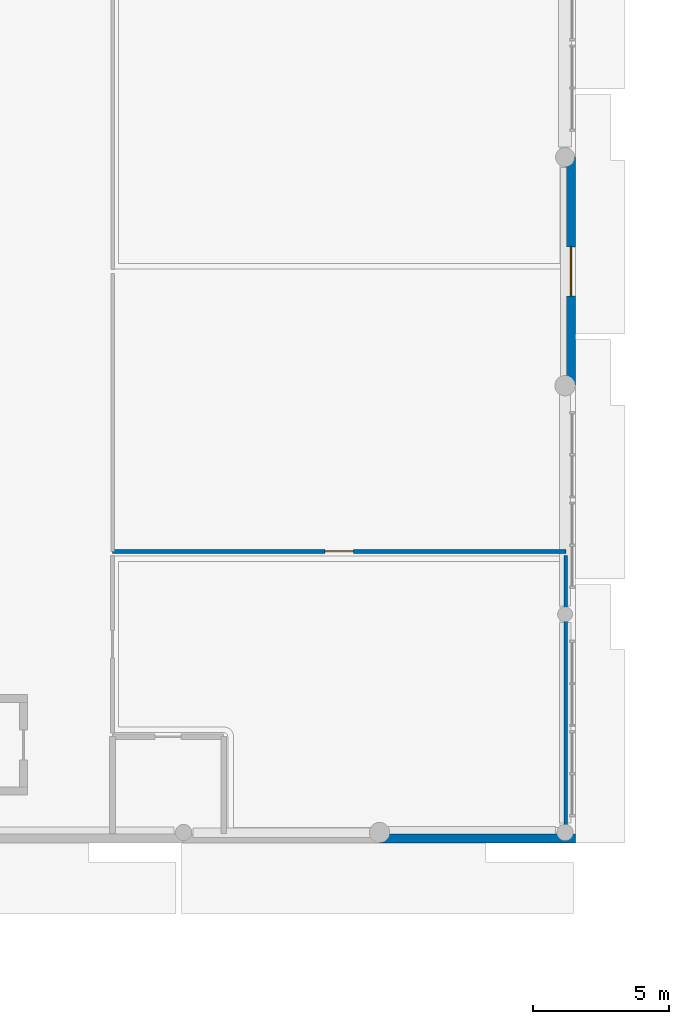
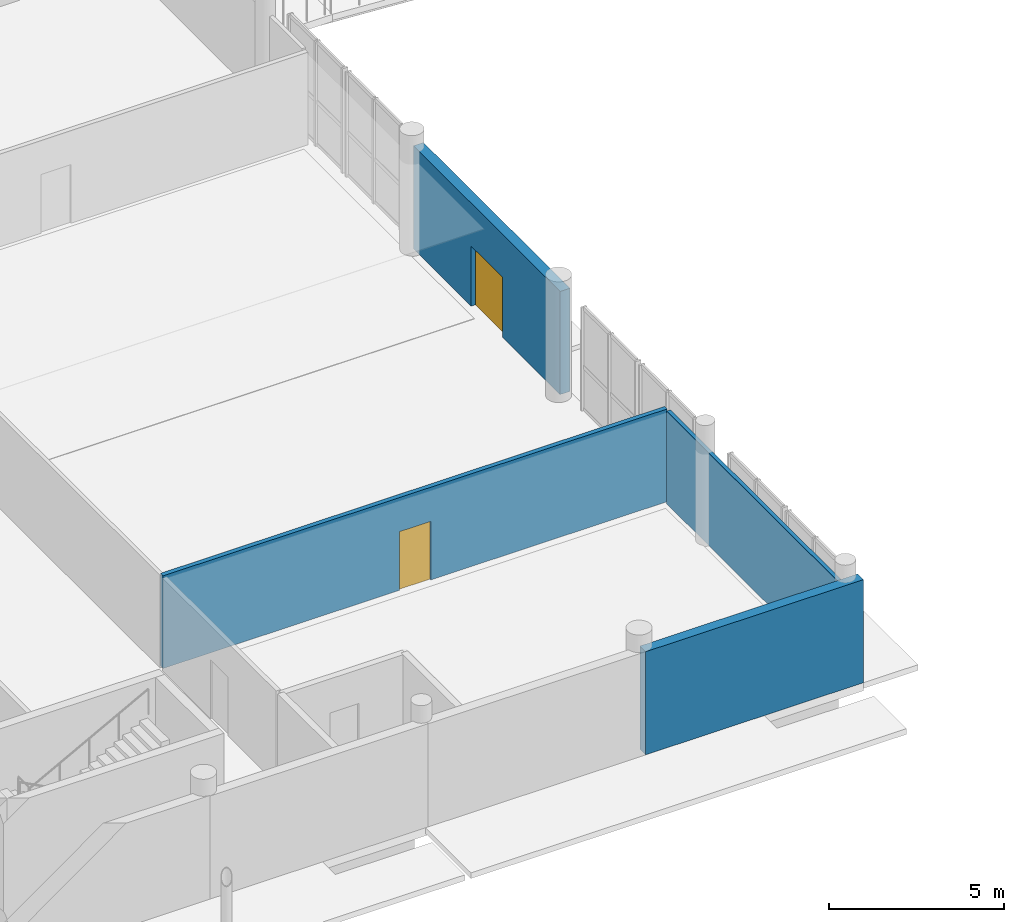
# One storey, part 55 of 77: 4 walls, 2 doors, 2 openings.
"""IFC4 building model written with IfcOpenShell, lengths in metres."""

from ifc_helpers import new_model, si_unit, direction, frame, frame_2d, origin, place, context, subcontext, project, spatial, rectangle, extrude, material, layer, layer_set, type_object, element, fill, save


model = new_model("IFC4")

# Units and contexts
model_context = context("Model", 3, precision=1e-05, world=origin(), true_north=direction((0.0, 1.0)))
body_context = subcontext(model_context, "Body", "Model", "MODEL_VIEW")
ifc_project = project(units=[si_unit("LENGTHUNIT", "METRE"), si_unit("AREAUNIT", "SQUARE_METRE"), si_unit("VOLUMEUNIT", "CUBIC_METRE"), si_unit("PLANEANGLEUNIT", "RADIAN"), si_unit("MASSUNIT", "GRAM", prefix="KILO")], contexts=[model_context])

# Site, building, storey
site_placement = place(None, origin())
site = spatial("IfcSite", under=ifc_project, at=site_placement, CompositionType="ELEMENT")
building_placement = place(site_placement, origin())
building = spatial("IfcBuilding", under=site, at=building_placement, Name="Vardoun Plaza Health Centre", CompositionType="ELEMENT")
storey_placement = place(building_placement, origin())
storey = spatial("IfcBuildingStorey", under=building, at=storey_placement, Name="L00", CompositionType="ELEMENT", Elevation=0.0)

# Wall, opening, door
ifc_material_1 = material(Name="Pale Limestone Concrete C35/45", Category="masonry")
ifc_layer_1 = layer(ifc_material_1, 0.330078125)
ifc_layer_set_1 = layer_set([ifc_layer_1], Name="Pale Limestone Concrete C35/45")
wall_type_1 = type_object("IfcWallType", Name="EW-02", PredefinedType="SOLIDWALL", material=ifc_layer_set_1)
wall_1_placement = place(storey_placement, frame((76.514892578125, 61.5, 0.0), z_axis=(0.0, 0.0, 1.0), x_axis=(0.0, -1.0, 0.0)))
wall_1 = element("IfcWall", 1, at=wall_1_placement, inside=storey, type_object=wall_type_1, Name="V1 L00 Exterior Wall EW-V1-020", PredefinedType="SOLIDWALL", context=body_context, shape_type="SweptSolid", body=[
    extrude(rectangle(XDim=8.39990234375, YDim=0.330078125, at=frame_2d((4.199951171875, 0.0))), origin(), (0.0, 0.0, 1.0), 3.60498046875),
])
opening_1_placement = place(wall_1_placement, frame((3.300048828125, 0.0, 0.0)))
opening_1 = element("IfcOpeningElement", 2, at=opening_1_placement, cuts=wall_1, Name="Opening D-00-E02", PredefinedType="OPENING", context=body_context, shape_type="SweptSolid", body=[
    extrude(rectangle(XDim=1.800048828125, YDim=2.10009765625, at=frame_2d((0.89990234375, 1.050048828125))), frame((0.0, 0.1650390625, 0.0), z_axis=(0.0, -1.0, 0.0), x_axis=(1.0, 0.0, 0.0)), (0.0, 0.0, 1.0), 0.330078125),
])
ifc_material_2 = material(Name="Aluminium Alloy EN AW-6063-T6 Glazed Exit Door", Category="aluminium")
door_type_1 = type_object("IfcDoorType", Name="ED-01", OperationType="DOUBLE_DOOR_SINGLE_SWING", PredefinedType="DOOR", material=ifc_material_2)
door_1_placement = place(opening_1_placement, origin())
door_1 = element("IfcDoor", 3, at=door_1_placement, inside=storey, type_object=door_type_1, Name="V1 Ground Final Exit Door D-00-E02", OperationType="DOUBLE_DOOR_SINGLE_SWING", OverallHeight=2.10009765625, OverallWidth=1.800048828125, PredefinedType="DOOR", context=body_context, shape_type="SweptSolid", body=[
    extrude(rectangle(XDim=1.800048828125, YDim=2.10009765625, at=frame_2d((0.89990234375, 1.050048828125))), frame((0.0, 0.02490234375, 0.0), z_axis=(0.0, -1.0, 0.0), x_axis=(1.0, 0.0, 0.0)), (0.0, 0.0, 1.0), 0.050048828125),
])
fill(opening_1, door_1)

# Wall
wall_2_placement = place(storey_placement, frame((76.679931640625, 36.465087890625, 0.0), z_axis=(0.0, 0.0, 1.0), x_axis=(-1.0, 0.0, 0.0)))
element("IfcWall", 4, at=wall_2_placement, inside=storey, type_object=wall_type_1, Name="V1 L00 Exterior Wall EW-V1-021", PredefinedType="SOLIDWALL", context=body_context, shape_type="SweptSolid", body=[
    extrude(rectangle(XDim=7.199951171875, YDim=0.330078125, at=frame_2d((3.60009765625, 0.0))), origin(), (0.0, 0.0, 1.0), 3.60498046875),
])

# Wall, opening, door
ifc_material_3 = material(Name="Acoustic Gypsum Twin-Stud", Category="steel")
ifc_layer_2 = layer(ifc_material_3, 0.14990234375)
ifc_layer_set_2 = layer_set([ifc_layer_2], Name="Acoustic Gypsum Twin-Stud")
wall_type_2 = type_object("IfcWallType", Name="IW-04", PredefinedType="PARTITIONING", material=ifc_layer_set_2)
wall_3_placement = place(storey_placement, frame((76.330078125, 47.014892578125, 0.0), z_axis=(0.0, 0.0, 1.0), x_axis=(-1.0, 0.0, 0.0)))
wall_3 = element("IfcWall", 5, at=wall_3_placement, inside=storey, type_object=wall_type_2, Name="Central Waiting Hall Partition Wall", PredefinedType="PARTITIONING", context=body_context, shape_type="SweptSolid", body=[
    extrude(rectangle(XDim=16.66015625, YDim=0.14990234375, at=frame_2d((8.330078125, 0.0))), origin(), (0.0, 0.0, 1.0), 3.239990234375),
])
opening_2_placement = place(wall_3_placement, frame((7.81005859375, 0.0, 0.0)))
opening_2 = element("IfcOpeningElement", 6, at=opening_2_placement, cuts=wall_3, Name="Opening D-L00-007", PredefinedType="OPENING", context=body_context, shape_type="SweptSolid", body=[
    extrude(rectangle(XDim=1.0400390625, YDim=2.050048828125, at=frame_2d((0.52001953125, 1.02490234375))), frame((0.0, 0.074951171875, 0.0), z_axis=(0.0, -1.0, 0.0), x_axis=(1.0, 0.0, 0.0)), (0.0, 0.0, 1.0), 0.14990234375),
])
ifc_material_4 = material(Name="Antimicrobial Acoustic Timber and Steel S275JR", Category="steel")
door_type_2 = type_object("IfcDoorType", Name="CD-04", OperationType="NOTDEFINED", PredefinedType="DOOR", material=ifc_material_4)
door_2_placement = place(opening_2_placement, origin())
door_2 = element("IfcDoor", 7, at=door_2_placement, inside=storey, type_object=door_type_2, Name="Central Waiting Hall Door D-L00-007", OperationType="SINGLE_SWING_LEFT", OverallHeight=2.050048828125, OverallWidth=1.0400390625, PredefinedType="DOOR", context=body_context, shape_type="SweptSolid", body=[
    extrude(rectangle(XDim=1.0400390625, YDim=2.050048828125, at=frame_2d((0.52001953125, 1.02490234375))), frame((0.0, 0.02490234375, 0.0), z_axis=(0.0, -1.0, 0.0), x_axis=(1.0, 0.0, 0.0)), (0.0, 0.0, 1.0), 0.050048828125),
])
fill(opening_2, door_2)

# Wall
ifc_material_5 = material(Name="Standard Clinical Sub-Partition", Category="steel")
ifc_layer_3 = layer(ifc_material_5, 0.125)
ifc_layer_set_3 = layer_set([ifc_layer_3], Name="Standard Clinical Sub-Partition")
wall_type_3 = type_object("IfcWallType", Name="IW-11", PredefinedType="PARTITIONING", material=ifc_layer_set_3)
wall_4_placement = place(storey_placement, frame((76.330078125, 46.85498046875, 0.0), z_axis=(0.0, 0.0, 1.0), x_axis=(0.0, -1.0, 0.0)))
element("IfcWall", 8, at=wall_4_placement, inside=storey, type_object=wall_type_3, Name="Patient Registration Desk Enclosure Partition", PredefinedType="PARTITIONING", context=body_context, shape_type="SweptSolid", body=[
    extrude(rectangle(XDim=10.205078125, YDim=0.125, at=frame_2d((5.1025390625, 0.0))), origin(), (0.0, 0.0, 1.0), 3.239990234375),
])

save(model, "model.ifc")
